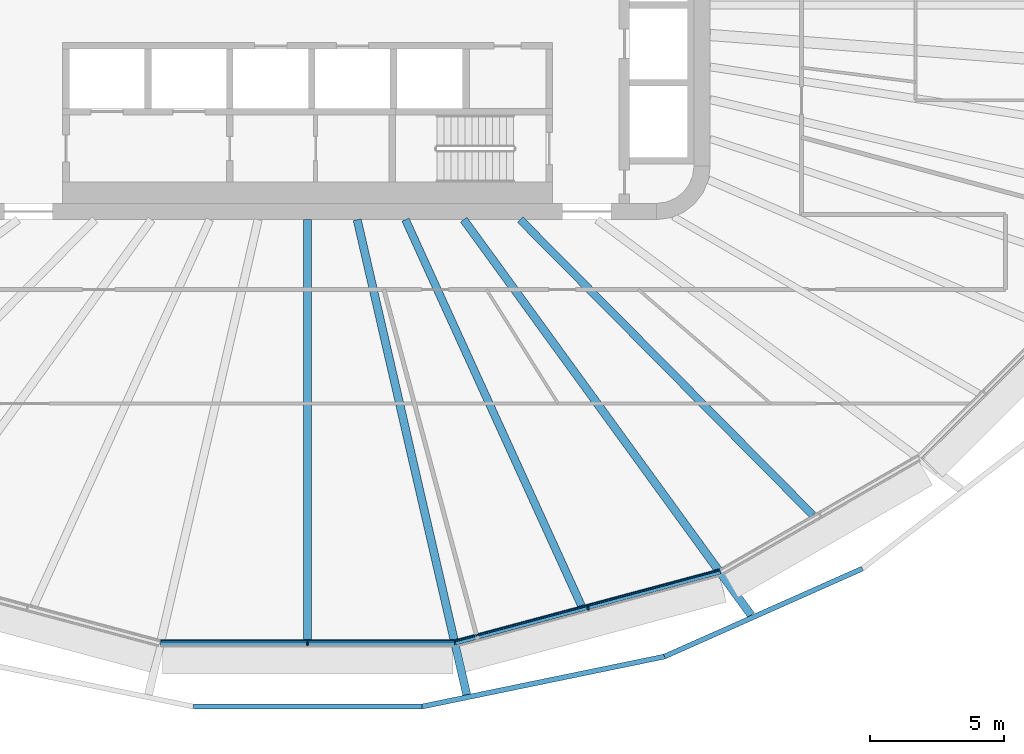
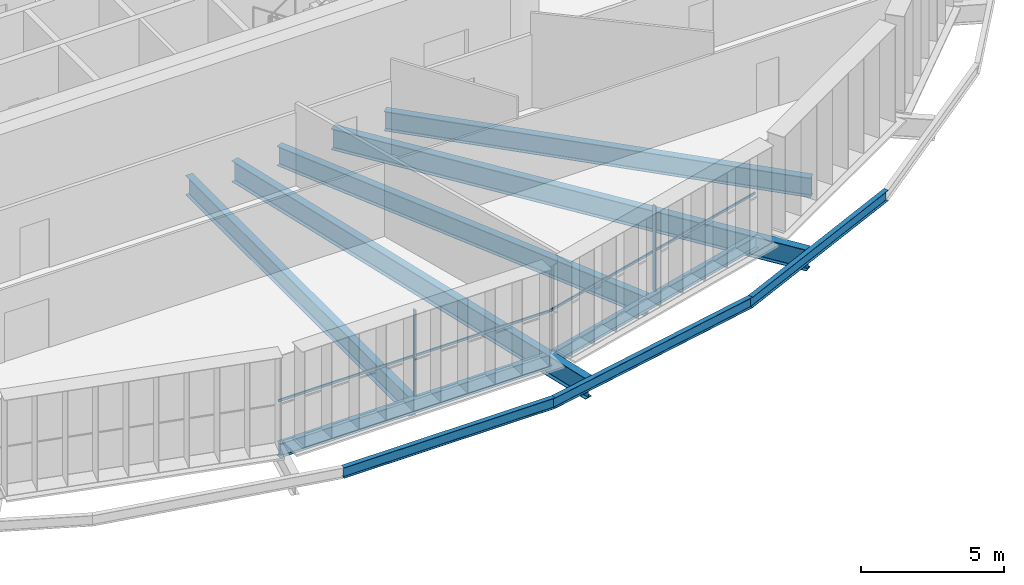
# One storey, part 4 of 24: 10 beams, 4 members, 2 elements without a shape of their own.
"""IFC4 building model written with IfcOpenShell, lengths in metres."""

import ifcopenshell
import ifcopenshell.guid

model = None  # the IFC model being written
_history = None  # IfcOwnerHistory: only IFC2X3 demands one
_inside = {}  # id of a spatial element -> (the spatial element, [elements in it])
_under = {}  # id of a project, library or spatial element -> (it, [spatial elements below it])
_declared = {}  # id of a project -> (the project, [libraries it declares])
_typed = {}  # id of a type object -> (the type object, [elements of that type])
_made_of = {}  # id of a material, layer set ... -> (it, [elements and type objects made of it])


def new_model(schema):
    """Start an empty IFC model of exactly this schema.

    Asked for "IFC4X3", IfcOpenShell would pick the latest addendum, in which some entities
    have other attributes; the version numbers below select the first issue.
    IFC2X3 requires an IfcOwnerHistory on every rooted entity: one is made here for all.
    """
    global model, _history
    if schema == "IFC4X3":
        model = ifcopenshell.file(schema_version=(4, 3, 0, 0))
    else:
        model = ifcopenshell.file(schema=schema)
    _inside.clear()
    _under.clear()
    _declared.clear()
    _typed.clear()
    _made_of.clear()
    _history = None
    if model.schema == "IFC2X3":
        org = make("IfcOrganization", Name="unknown")
        user = make(
            "IfcPersonAndOrganization",
            ThePerson=make("IfcPerson", FamilyName="unknown"),
            TheOrganization=org,
        )
        app = make(
            "IfcApplication",
            ApplicationDeveloper=org,
            Version="unknown",
            ApplicationFullName="unknown",
            ApplicationIdentifier="unknown",
        )
        _history = make(
            "IfcOwnerHistory",
            OwningUser=user,
            OwningApplication=app,
            ChangeAction="ADDED",
            CreationDate=0,
        )
    return model


def make(cls, **values):
    """One entity of the class cls with the attributes given. An attribute that is None is left unset."""
    return model.create_entity(
        cls, **{name: value for name, value in values.items() if value is not None}
    )


def rooted(cls, **values):
    """An entity with a GlobalId (a new one), such as an element, a storey or a relation."""
    return make(cls, GlobalId=ifcopenshell.guid.new(), OwnerHistory=_history, **values)


def si_unit(unit_type, name, prefix=None):
    """IfcSIUnit, for example si_unit("LENGTHUNIT", "METRE", prefix="MILLI")."""
    return make("IfcSIUnit", UnitType=unit_type, Prefix=prefix, Name=name)


def assignment(units):
    """IfcUnitAssignment: the units of a project."""
    return None if units is None else make("IfcUnitAssignment", Units=units)


def point(xyz):
    """IfcCartesianPoint."""
    return None if xyz is None else make("IfcCartesianPoint", Coordinates=xyz)


def direction(xyz):
    """IfcDirection."""
    return None if xyz is None else make("IfcDirection", DirectionRatios=xyz)


def frame(location, z_axis=None, x_axis=None):
    """IfcAxis2Placement3D, a coordinate frame: its origin and axes. An axis left out is left unset."""
    return make(
        "IfcAxis2Placement3D",
        Location=point(location),
        Axis=direction(z_axis),
        RefDirection=direction(x_axis),
    )


def frame_2d(location, x_axis=None):
    """IfcAxis2Placement2D, a coordinate frame in the plane: its origin and x axis."""
    return make(
        "IfcAxis2Placement2D", Location=point(location), RefDirection=direction(x_axis)
    )


def origin():
    """The frame at (0, 0, 0) with its axes left unset."""
    return frame((0.0, 0.0, 0.0))


def origin_2d():
    """The frame at (0, 0) in the plane with its x axis left unset."""
    return frame_2d((0.0, 0.0))


def place(relative_to, where):
    """IfcLocalPlacement: puts the frame where relative to a parent placement (None: the world)."""
    return make(
        "IfcLocalPlacement", PlacementRelTo=relative_to, RelativePlacement=where
    )


def context(
    kind, dimensions, precision=None, world=None, true_north=None, identifier=None
):
    """IfcGeometricRepresentationContext, for example the 3D "Model" context."""
    return make(
        "IfcGeometricRepresentationContext",
        ContextIdentifier=identifier,
        ContextType=kind,
        CoordinateSpaceDimension=dimensions,
        Precision=precision,
        WorldCoordinateSystem=world,
        TrueNorth=true_north,
    )


def subcontext(parent, identifier, kind, view, scale=None):
    """IfcGeometricRepresentationSubContext, for example "Body" below "Model"."""
    return make(
        "IfcGeometricRepresentationSubContext",
        ContextIdentifier=identifier,
        ContextType=kind,
        ParentContext=parent,
        TargetScale=scale,
        TargetView=view,
    )


def project(units=None, contexts=None):
    """IfcProject with its units and contexts."""
    return rooted(
        "IfcProject",
        Name="project",
        RepresentationContexts=contexts,
        UnitsInContext=assignment(units),
    )


def spatial(cls, under=None, at=None, **own):
    """A site, building, storey or space (cls), placed at a placement, below another one or the project."""
    s = rooted(cls, ObjectPlacement=at, **own)
    if under is not None:
        _under.setdefault(under.id(), (under, []))[1].append(s)
    return s


def profile(cls, at=None, kind="AREA", **sizes):
    """A parametric profile (cls). Its sizes go by their IFC names, for example OverallWidth=200.0."""
    return make(cls, ProfileType=kind, Position=at, **sizes)


def rectangle(**sizes):
    """IfcRectangleProfileDef."""
    return profile("IfcRectangleProfileDef", **sizes)


def i_section(**sizes):
    """IfcIShapeProfileDef."""
    return profile("IfcIShapeProfileDef", **sizes)


def extrude(swept, where, along, depth):
    """IfcExtrudedAreaSolid: the profile swept, set in the frame where, extruded along a direction by depth."""
    return make(
        "IfcExtrudedAreaSolid",
        SweptArea=swept,
        Position=where,
        ExtrudedDirection=direction(along),
        Depth=depth,
    )


def shape(context_of_items, identifier, shape_type, items):
    """IfcShapeRepresentation: the items that make up one representation, for example the "Body"."""
    return make(
        "IfcShapeRepresentation",
        ContextOfItems=context_of_items,
        RepresentationIdentifier=identifier,
        RepresentationType=shape_type,
        Items=items,
    )


def material(Name=None, Category=None):
    """IfcMaterial."""
    return make("IfcMaterial", Name=Name, Category=Category)


def layer(
    of_material, thickness, ventilated=None, Name=None, Category=None, Priority=None
):
    """IfcMaterialLayer: one layer of a wall or slab, of a material (None: an air gap)."""
    return make(
        "IfcMaterialLayer",
        Material=of_material,
        LayerThickness=thickness,
        IsVentilated=ventilated,
        Name=Name,
        Category=Category,
        Priority=Priority,
    )


def layer_set(layers, Name=None):
    """IfcMaterialLayerSet."""
    return make("IfcMaterialLayerSet", MaterialLayers=layers, LayerSetName=Name)


def material_profile(
    of_material, cross_section, Name=None, Category=None, Priority=None
):
    """IfcMaterialProfile: a cross section and its material."""
    return make(
        "IfcMaterialProfile",
        Name=Name,
        Material=of_material,
        Profile=cross_section,
        Priority=Priority,
        Category=Category,
    )


def profile_set(profiles, Name=None, composite=None):
    """IfcMaterialProfileSet."""
    return make(
        "IfcMaterialProfileSet",
        Name=Name,
        MaterialProfiles=profiles,
        CompositeProfile=composite,
    )


def made_of(thing, what):
    """Note that an element or type object is made of a material, layer set ...; save() writes the relation."""
    if what is not None:
        _made_of.setdefault(what.id(), (what, []))[1].append(thing)
    return thing


def type_object(cls, material=None, **own):
    """A type object (cls), such as IfcWallType, which elements share."""
    return made_of(rooted(cls, **own), material)


def element(
    cls,
    number,
    at=None,
    inside=None,
    cuts=None,
    type_object=None,
    material=None,
    context=None,
    identifier="Body",
    shape_type=None,
    held_by="IfcProductDefinitionShape",
    body=None,
    shapes=None,
    **own,
):
    """One element of the class cls, such as IfcWall. Its Tag is "e" and its number.

    at: its placement. inside: the storey or other place that contains it. cuts: it is an
    opening in that element (IfcRelVoidsElement). A single representation is given by context,
    identifier, shape_type and body (its items); several are given by shapes. held_by: the class
    of the entity that holds the representations. save() writes the other relations.
    """
    e = rooted(cls, Tag="e%d" % number, ObjectPlacement=at, **own)
    if body is not None:
        shapes = [shape(context, identifier, shape_type, body)]
    if shapes is not None:
        e.Representation = make(held_by, Representations=shapes)
    if inside is not None:
        _inside.setdefault(inside.id(), (inside, []))[1].append(e)
    if cuts is not None:
        rooted(
            "IfcRelVoidsElement", RelatingBuildingElement=cuts, RelatedOpeningElement=e
        )
    if type_object is not None:
        _typed.setdefault(type_object.id(), (type_object, []))[1].append(e)
    return made_of(e, material)


def aggregate(whole, parts):
    """IfcRelAggregates: a whole, such as a stair, and the parts it consists of."""
    return rooted("IfcRelAggregates", RelatingObject=whole, RelatedObjects=parts)


def save(model, path):
    """Write the relations noted so far, then the file.

    IfcRelAggregates (storeys below a building ...), IfcRelContainedInSpatialStructure (elements
    in a storey), IfcRelDefinesByType, IfcRelAssociatesMaterial and IfcRelDeclares: one each for
    every whole, place, type object, material and project.
    """
    for whole, parts in _under.values():
        aggregate(whole, parts)
    for where, things in _inside.values():
        rooted(
            "IfcRelContainedInSpatialStructure",
            RelatedElements=things,
            RelatingStructure=where,
        )
    for kind, things in _typed.values():
        rooted("IfcRelDefinesByType", RelatedObjects=things, RelatingType=kind)
    for what, things in _made_of.values():
        rooted("IfcRelAssociatesMaterial", RelatedObjects=things, RelatingMaterial=what)
    for by, libraries in _declared.values():
        rooted("IfcRelDeclares", RelatingContext=by, RelatedDefinitions=libraries)
    model.write(path)


model = new_model("IFC4")

# Units and contexts
model_context = context("Model", 3, precision=1e-05, world=origin(), true_north=direction((0.0, 1.0)))
body_context = subcontext(model_context, "Body", "Model", "MODEL_VIEW")
ifc_project = project(units=[si_unit("LENGTHUNIT", "METRE"), si_unit("AREAUNIT", "SQUARE_METRE"), si_unit("VOLUMEUNIT", "CUBIC_METRE"), si_unit("PLANEANGLEUNIT", "RADIAN"), si_unit("MASSUNIT", "GRAM", prefix="KILO")], contexts=[model_context])

# Site, building, storey
site_placement = place(None, origin())
site = spatial("IfcSite", under=ifc_project, at=site_placement, CompositionType="ELEMENT")
building_placement = place(site_placement, origin())
building = spatial("IfcBuilding", under=site, at=building_placement, Name="Sahrelin Media Tower", CompositionType="ELEMENT")
storey_placement = place(building_placement, frame((0.0, 0.0, 123.0)))
storey = spatial("IfcBuildingStorey", under=building, at=storey_placement, Name="L24", CompositionType="ELEMENT", Elevation=123.0)

# Beams
ifc_material_1 = material(Name="Steel S355", Category="steel")
ifc_material_profile_1 = material_profile(ifc_material_1, i_section(OverallWidth=0.208740234375, OverallDepth=0.5283203125, WebThickness=0.009521484375, FlangeThickness=0.01318359375, FilletRadius=0.0126953125, at=origin_2d()), Name="UB 533x210x82")
ifc_profile_set_1 = profile_set([ifc_material_profile_1], Name="Steel S355")
beam_type_1 = type_object("IfcBeamType", Name="Edge beam EB6", PredefinedType="BEAM", material=ifc_profile_set_1)
beam_1_placement = place(storey_placement, frame((15.36328125, -21.104248046875, -0.414306640625), z_axis=(-0.965927651129, -0.258812234613, 0.0), x_axis=(0.258812234613, -0.965927651129, 0.0)))
element("IfcBeam", 1, at=beam_1_placement, inside=storey, type_object=beam_type_1, Name="Edge beam L24-06", PredefinedType="BEAM", context=body_context, shape_type="SweptSolid", body=[
    extrude(i_section(OverallWidth=0.208740234375, OverallDepth=0.5283203125, WebThickness=0.009521484375, FlangeThickness=0.01318359375, FilletRadius=0.0126953125, at=origin_2d()), origin(), (0.0, 0.0, 1.0), 10.202880859375),
])
ifc_material_profile_2 = material_profile(ifc_material_1, i_section(OverallWidth=0.2275390625, OverallDepth=0.6025390625, WebThickness=0.010498046875, FlangeThickness=0.014892578125, FilletRadius=0.0126953125, at=origin_2d()), Name="UB 610x229x101")
ifc_profile_set_2 = profile_set([ifc_material_profile_2], Name="Steel S355")
beam_type_2 = type_object("IfcBeamType", Name="Edge beam EB7", PredefinedType="BEAM", material=ifc_profile_set_2)
beam_2_placement = place(storey_placement, frame((5.4794921875, -23.748779296875, -0.451416015625), z_axis=(-1.0, 0.0, 0.0), x_axis=(0.0, -1.0, 0.0)))
element("IfcBeam", 2, at=beam_2_placement, inside=storey, type_object=beam_type_2, Name="Edge beam L24-07", PredefinedType="BEAM", context=body_context, shape_type="SweptSolid", body=[
    extrude(i_section(OverallWidth=0.2275390625, OverallDepth=0.6025390625, WebThickness=0.010498046875, FlangeThickness=0.014892578125, FilletRadius=0.0126953125, at=origin_2d()), origin(), (0.0, 0.0, 1.0), 10.958984375),
])

# Curtain wall, member
ifc_material_2 = material(Name="Champagne anodised aluminium 6063-T6", Category="aluminium")
ifc_layer = layer(ifc_material_2, 0.14990234375)
ifc_layer_set = layer_set([ifc_layer], Name="Tower ribbon curtain wall")
curtain_wall_type = type_object("IfcCurtainWallType", Name="Tower ribbon curtain wall", PredefinedType="NOTDEFINED", material=ifc_layer_set)
curtain_wall_1_placement = place(storey_placement, frame((0.0, -23.898681640625, 0.0), z_axis=(0.0, 0.0, 1.0), x_axis=(1.0, 0.0, 0.0)))
curtain_wall_1 = element("IfcCurtainWall", 3, at=curtain_wall_1_placement, inside=storey, type_object=curtain_wall_type, Name="L24:CW:L24-18", PredefinedType="NOTDEFINED")
ifc_material_profile_3 = material_profile(ifc_material_2, rectangle(XDim=0.06005859375, YDim=0.14990234375, at=origin_2d()), Name="Mullion 60x150")
ifc_profile_set_3 = profile_set([ifc_material_profile_3], Name="Champagne anodised aluminium 6063-T6")
member_type_1 = type_object("IfcMemberType", Name="Mullion 60x150 CW1", PredefinedType="MULLION", material=ifc_profile_set_3)
member_1_placement = place(storey_placement, frame((0.0, -23.8037109375, 0.0), z_axis=(0.0, 0.0, 1.0), x_axis=(1.0, 0.0, 0.0)))
member_1 = element("IfcMember", 4, at=member_1_placement, type_object=member_type_1, Name="L24:CWM:L24-18", PredefinedType="MULLION", context=body_context, shape_type="SweptSolid", body=[
    extrude(rectangle(XDim=0.06005859375, YDim=0.14990234375, at=origin_2d()), origin(), (0.0, 0.0, 1.0), 3.648681640625),
])

curtain_wall_2_placement = place(storey_placement, frame((10.474365234375, -22.569580078125, 0.0), z_axis=(0.0, 0.0, 1.0), x_axis=(1.0, 0.0, 0.0)))
curtain_wall_2 = element("IfcCurtainWall", 5, at=curtain_wall_2_placement, inside=storey, type_object=curtain_wall_type, Name="L24:CW:L24-19", PredefinedType="NOTDEFINED")
member_2_placement = place(storey_placement, frame((10.449951171875, -22.477783203125, 0.0), z_axis=(0.0, 0.0, 1.0), x_axis=(0.965927181449, 0.258813987523, 0.0)))
member_2 = element("IfcMember", 6, at=member_2_placement, type_object=member_type_1, Name="L24:CWM:L24-19", PredefinedType="MULLION", context=body_context, shape_type="SweptSolid", body=[
    extrude(rectangle(XDim=0.06005859375, YDim=0.14990234375, at=origin_2d()), origin(), (0.0, 0.0, 1.0), 3.648681640625),
])

# Beams
ifc_material_profile_4 = material_profile(ifc_material_1, i_section(OverallWidth=0.30322265625, OverallDepth=0.903076171875, WebThickness=0.01513671875, FlangeThickness=0.020263671875, FilletRadius=0.01904296875, at=origin_2d()), Name="UB 914x305x201")
ifc_profile_set_4 = profile_set([ifc_material_profile_4], Name="Steel S355")
beam_type_3 = type_object("IfcBeamType", Name="Radial primary beam PB11", PredefinedType="BEAM", material=ifc_profile_set_4)
beam_3_placement = place(storey_placement, frame((1.845703125, -8.0, -0.6015625), z_axis=(0.224801592423, -0.974404558715, 0.0), x_axis=(0.974404558715, 0.224801592423, 0.0)))
element("IfcBeam", 7, at=beam_3_placement, inside=storey, type_object=beam_type_3, Name="Radial beam L24-19", PredefinedType="BEAM", context=body_context, shape_type="SweptSolid", body=[
    extrude(i_section(OverallWidth=0.30322265625, OverallDepth=0.903076171875, WebThickness=0.01513671875, FlangeThickness=0.020263671875, FilletRadius=0.01904296875, at=origin_2d()), origin(), (0.0, 0.0, 1.0), 18.164794921875),
])
beam_4_placement = place(storey_placement, frame((5.813720703125, -8.0, -0.6015625), z_axis=(0.587854545136, -0.808966645643, 0.0), x_axis=(0.808966645643, 0.587854545136, 0.0)))
element("IfcBeam", 8, at=beam_4_placement, inside=storey, type_object=beam_type_3, Name="Radial beam L24-20", PredefinedType="BEAM", context=body_context, shape_type="SweptSolid", body=[
    extrude(i_section(OverallWidth=0.30322265625, OverallDepth=0.903076171875, WebThickness=0.01513671875, FlangeThickness=0.020263671875, FilletRadius=0.01904296875, at=origin_2d()), origin(), (0.0, 0.0, 1.0), 18.219482421875),
])
ifc_material_profile_5 = material_profile(ifc_material_1, i_section(OverallWidth=0.291748046875, OverallDepth=0.8349609375, WebThickness=0.013916015625, FlangeThickness=0.018798828125, FilletRadius=0.017822265625, at=origin_2d()), Name="UB 838x292x176")
ifc_profile_set_5 = profile_set([ifc_material_profile_5], Name="Steel S355")
beam_type_4 = type_object("IfcBeamType", Name="Radial secondary beam SB10", PredefinedType="BEAM", material=ifc_profile_set_5)
beam_5_placement = place(storey_placement, frame((0.0, -8.0, -0.5673828125), z_axis=(0.0, -1.0, 0.0), x_axis=(1.0, 0.0, 0.0)))
element("IfcBeam", 9, at=beam_5_placement, inside=storey, type_object=beam_type_4, Name="Secondary beam L24-14", PredefinedType="BEAM", context=body_context, shape_type="SweptSolid", body=[
    extrude(i_section(OverallWidth=0.291748046875, OverallDepth=0.8349609375, WebThickness=0.013916015625, FlangeThickness=0.018798828125, FilletRadius=0.017822265625, at=origin_2d()), origin(), (0.0, 0.0, 1.0), 15.635009765625),
])
beam_6_placement = place(storey_placement, frame((3.6455078125, -8.0, -0.5673828125), z_axis=(0.414671083889, -0.909971368883, 0.0), x_axis=(0.909971368883, 0.414671083889, 0.0)))
element("IfcBeam", 10, at=beam_6_placement, inside=storey, type_object=beam_type_4, Name="Secondary beam L24-15", PredefinedType="BEAM", context=body_context, shape_type="SweptSolid", body=[
    extrude(i_section(OverallWidth=0.291748046875, OverallDepth=0.8349609375, WebThickness=0.013916015625, FlangeThickness=0.018798828125, FilletRadius=0.017822265625, at=origin_2d()), origin(), (0.0, 0.0, 1.0), 15.802734375),
])
beam_7_placement = place(storey_placement, frame((7.922607421875, -8.0, -0.5673828125), z_axis=(0.70365366742, -0.710543113629, 0.0), x_axis=(0.710543113629, 0.70365366742, 0.0)))
element("IfcBeam", 11, at=beam_7_placement, inside=storey, type_object=beam_type_4, Name="Secondary beam L24-16", PredefinedType="BEAM", context=body_context, shape_type="SweptSolid", body=[
    extrude(i_section(OverallWidth=0.291748046875, OverallDepth=0.8349609375, WebThickness=0.013916015625, FlangeThickness=0.018798828125, FilletRadius=0.017822265625, at=origin_2d()), origin(), (0.0, 0.0, 1.0), 15.48583984375),
])
ifc_material_profile_6 = material_profile(ifc_material_1, i_section(OverallWidth=0.1904296875, OverallDepth=0.45703125, WebThickness=0.009033203125, FlangeThickness=0.014404296875, FilletRadius=0.01025390625, at=origin_2d()), Name="UB 457x191x74")
ifc_profile_set_6 = profile_set([ifc_material_profile_6], Name="Steel S355")
beam_type_5 = type_object("IfcBeamType", Name="Tie chord TC5", PredefinedType="BEAM", material=ifc_profile_set_6)
beam_8_placement = place(storey_placement, frame((-4.257080078125, -26.14208984375, -0.37841796875), z_axis=(1.0, 0.0, 0.0), x_axis=(0.0, 1.0, 0.0)))
element("IfcBeam", 12, at=beam_8_placement, inside=storey, type_object=beam_type_5, Name="Tie chord L24-18", PredefinedType="BEAM", context=body_context, shape_type="SweptSolid", body=[
    extrude(i_section(OverallWidth=0.1904296875, OverallDepth=0.45703125, WebThickness=0.009033203125, FlangeThickness=0.014404296875, FilletRadius=0.01025390625, at=origin_2d()), origin(), (0.0, 0.0, 1.0), 8.51416015625),
])
beam_9_placement = place(storey_placement, frame((4.257080078125, -26.14208984375, -0.37841796875), z_axis=(0.979388907091, 0.201983585145, 0.0), x_axis=(-0.201983585145, 0.979388907091, 0.0)))
element("IfcBeam", 13, at=beam_9_placement, inside=storey, type_object=beam_type_5, Name="Tie chord L24-19", PredefinedType="BEAM", context=body_context, shape_type="SweptSolid", body=[
    extrude(i_section(OverallWidth=0.1904296875, OverallDepth=0.45703125, WebThickness=0.009033203125, FlangeThickness=0.014404296875, FilletRadius=0.01025390625, at=origin_2d()), origin(), (0.0, 0.0, 1.0), 9.228515625),
])
beam_10_placement = place(storey_placement, frame((13.29541015625, -24.278076171875, -0.37841796875), z_axis=(0.913830264111, 0.406096353585, 0.0), x_axis=(-0.406096353585, 0.913830264111, 0.0)))
element("IfcBeam", 14, at=beam_10_placement, inside=storey, type_object=beam_type_5, Name="Tie chord L24-20", PredefinedType="BEAM", context=body_context, shape_type="SweptSolid", body=[
    extrude(i_section(OverallWidth=0.1904296875, OverallDepth=0.45703125, WebThickness=0.009033203125, FlangeThickness=0.014404296875, FilletRadius=0.01025390625, at=origin_2d()), origin(), (0.0, 0.0, 1.0), 8.068603515625),
])

# Member
ifc_material_profile_7 = material_profile(ifc_material_2, rectangle(XDim=0.050048828125, YDim=0.10009765625, at=origin_2d()), Name="Transom 50x100")
ifc_profile_set_7 = profile_set([ifc_material_profile_7], Name="Champagne anodised aluminium 6063-T6")
member_type_2 = type_object("IfcMemberType", Name="Transom 50x100 CW1", PredefinedType="USERDEFINED", material=ifc_profile_set_7)
member_3_placement = place(storey_placement, frame((-5.463623046875, -23.70361328125, 1.60009765625), z_axis=(1.0, 0.0, 0.0), x_axis=(0.0, 1.0, 0.0)))
member_3 = element("IfcMember", 15, at=member_3_placement, type_object=member_type_2, Name="L24:CWT:L24-18", ObjectType="TRANSOM", PredefinedType="USERDEFINED", context=body_context, shape_type="SweptSolid", body=[
    extrude(rectangle(XDim=0.050048828125, YDim=0.10009765625, at=origin_2d()), origin(), (0.0, 0.0, 1.0), 10.92724609375),
])

aggregate(curtain_wall_1, [member_1, member_3])

member_4_placement = place(storey_placement, frame((5.511474609375, -23.697509765625, 1.60009765625), z_axis=(0.96592630244, 0.258817268077, 0.0), x_axis=(-0.258817268077, 0.96592630244, 0.0)))
member_4 = element("IfcMember", 16, at=member_4_placement, type_object=member_type_2, Name="L24:CWT:L24-19", ObjectType="TRANSOM", PredefinedType="USERDEFINED", context=body_context, shape_type="SweptSolid", body=[
    extrude(rectangle(XDim=0.050048828125, YDim=0.10009765625, at=origin_2d()), origin(), (0.0, 0.0, 1.0), 10.171630859375),
])

aggregate(curtain_wall_2, [member_2, member_4])

save(model, "model.ifc")
